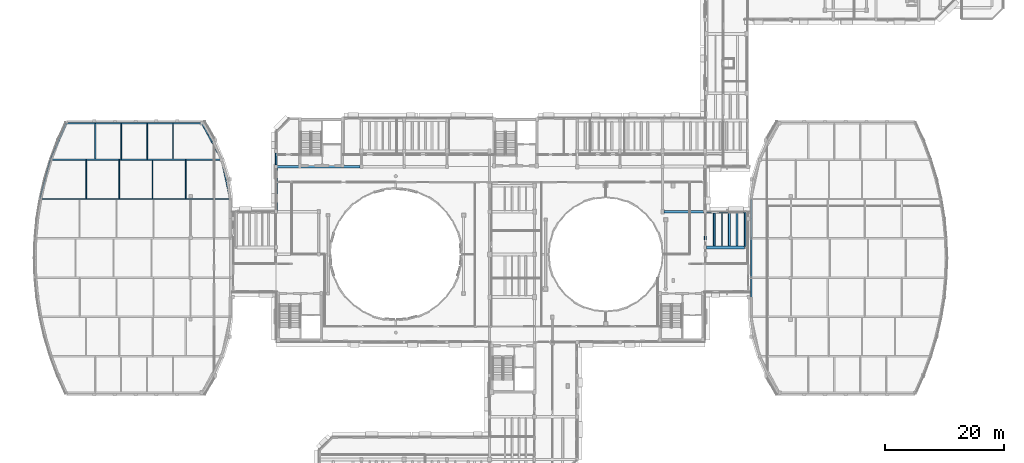
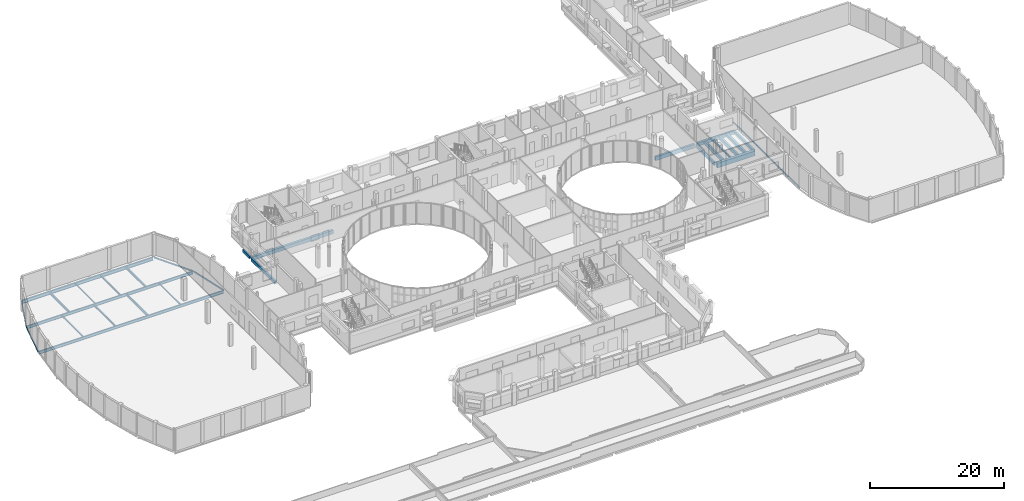
# One storey, part 41 of 105: 30 beams.
"""IFC4 building model written with IfcOpenShell, lengths in metres."""

from ifc_helpers import new_model, si_unit, direction, frame, origin, origin_2d, place, context, subcontext, project, spatial, rectangle, hollow_rectangle, i_section, extrude, material, material_profile, profile_set, type_object, element, save


model = new_model("IFC4")

# Units and contexts
model_context = context("Model", 3, precision=1e-05, world=origin(), true_north=direction((0.0, 1.0)))
body_context = subcontext(model_context, "Body", "Model", "MODEL_VIEW")
ifc_project = project(units=[si_unit("LENGTHUNIT", "METRE"), si_unit("AREAUNIT", "SQUARE_METRE"), si_unit("VOLUMEUNIT", "CUBIC_METRE"), si_unit("PLANEANGLEUNIT", "RADIAN"), si_unit("MASSUNIT", "GRAM", prefix="KILO")], contexts=[model_context])

# Site, building, storey
site_placement = place(None, origin())
site = spatial("IfcSite", under=ifc_project, at=site_placement, CompositionType="ELEMENT")
building_placement = place(site_placement, origin())
building = spatial("IfcBuilding", under=site, at=building_placement, Name="Kelanivale Promenade Academy", CompositionType="ELEMENT")
storey_placement = place(building_placement, frame((0.0, 0.0, 4.199951171875)))
storey = spatial("IfcBuildingStorey", under=building, at=storey_placement, Name="L01", CompositionType="ELEMENT", Elevation=4.199951171875)

# Beams
ifc_material_1 = material(Name="Concrete C35/45", Category="concrete")
ifc_material_profile_1 = material_profile(ifc_material_1, rectangle(XDim=0.39990234375, YDim=0.64990234375, at=origin_2d()), Name="RC-BM 400x650")
ifc_profile_set_1 = profile_set([ifc_material_profile_1], Name="Concrete C35/45")
beam_type_1 = type_object("IfcBeamType", Name="BM-01 RC-BM 400x650", PredefinedType="BEAM", material=ifc_profile_set_1)
beam_1_placement = place(storey_placement, frame((43.39501953125, 71.60009765625, -0.544921875), z_axis=(1.0, 0.0, 0.0), x_axis=(0.0, 1.0, 0.0)))
element("IfcBeam", 1, at=beam_1_placement, inside=storey, type_object=beam_type_1, Name="L01 girder BM-01", PredefinedType="BEAM", context=body_context, shape_type="SweptSolid", body=[
    extrude(rectangle(XDim=0.39990234375, YDim=0.64990234375, at=origin_2d()), origin(), (0.0, 0.0, 1.0), 13.9599609375),
])
ifc_material_profile_2 = material_profile(ifc_material_1, rectangle(XDim=0.5, YDim=0.85009765625, at=origin_2d()), Name="RC-BM 500x850")
ifc_profile_set_2 = profile_set([ifc_material_profile_2], Name="Concrete C35/45")
beam_type_2 = type_object("IfcBeamType", Name="BM-07 RC-BM 500x850", PredefinedType="BEAM", material=ifc_profile_set_2)
beam_2_placement = place(storey_placement, frame((115.794921875, 58.0, -0.64501953125), z_axis=(1.0, 0.0, 0.0), x_axis=(0.0, 1.0, 0.0)))
element("IfcBeam", 2, at=beam_2_placement, inside=storey, type_object=beam_type_2, Name="L01 girder BM-07", PredefinedType="BEAM", context=body_context, shape_type="SweptSolid", body=[
    extrude(rectangle(XDim=0.5, YDim=0.85009765625, at=origin_2d()), origin(), (0.0, 0.0, 1.0), 6.43310546875),
])
ifc_material_profile_3 = material_profile(ifc_material_1, rectangle(XDim=0.35009765625, YDim=0.699951171875, at=origin_2d()), Name="RC-BM 350x700")
ifc_profile_set_3 = profile_set([ifc_material_profile_3], Name="Concrete C35/45")
beam_type_3 = type_object("IfcBeamType", Name="BM-11 RC-BM 350x700", PredefinedType="BEAM", material=ifc_profile_set_3)
beam_3_placement = place(storey_placement, frame((108.6201171875, 64.0, -0.570068359375), z_axis=(1.0, 0.0, 0.0), x_axis=(0.0, 1.0, 0.0)))
element("IfcBeam", 3, at=beam_3_placement, inside=storey, type_object=beam_type_3, Name="L01 girder BM-11", PredefinedType="BEAM", context=body_context, shape_type="SweptSolid", body=[
    extrude(rectangle(XDim=0.35009765625, YDim=0.699951171875, at=origin_2d()), origin(), (0.0, 0.0, 1.0), 6.73486328125),
])
ifc_material_profile_4 = material_profile(ifc_material_1, rectangle(XDim=0.39990234375, YDim=0.60009765625, at=origin_2d()), Name="RC-BM 400x600")
ifc_profile_set_4 = profile_set([ifc_material_profile_4], Name="Concrete C35/45")
beam_type_4 = type_object("IfcBeamType", Name="BM-12 RC-BM 400x600", PredefinedType="BEAM", material=ifc_profile_set_4)
beam_4_placement = place(storey_placement, frame((115.844970703125, 64.0, -0.52001953125), z_axis=(1.0, 0.0, 0.0), x_axis=(0.0, 1.0, 0.0)))
element("IfcBeam", 4, at=beam_4_placement, inside=storey, type_object=beam_type_4, Name="L01 girder BM-12", PredefinedType="BEAM", context=body_context, shape_type="SweptSolid", body=[
    extrude(rectangle(XDim=0.39990234375, YDim=0.60009765625, at=origin_2d()), origin(), (0.0, 0.0, 1.0), 6.383056640625),
])
ifc_material_profile_5 = material_profile(ifc_material_1, rectangle(XDim=0.300048828125, YDim=0.60009765625, at=origin_2d()), Name="RC-BM 300x600")
ifc_profile_set_5 = profile_set([ifc_material_profile_5], Name="Concrete C35/45")
beam_type_5 = type_object("IfcBeamType", Name="JS-03 RC-BM 300x600", PredefinedType="JOIST", material=ifc_profile_set_5)
beam_5_placement = place(storey_placement, frame((117.1220703125, 58.25, -0.52001953125), z_axis=(0.0, 1.0, 0.0), x_axis=(-1.0, 0.0, 0.0)))
element("IfcBeam", 5, at=beam_5_placement, inside=storey, type_object=beam_type_5, Name="L01 secondary sub-beam JS-03", PredefinedType="JOIST", context=body_context, shape_type="SweptSolid", body=[
    extrude(rectangle(XDim=0.300048828125, YDim=0.60009765625, at=origin_2d()), origin(), (0.0, 0.0, 1.0), 5.550048828125),
])
ifc_material_profile_6 = material_profile(ifc_material_1, rectangle(XDim=0.320068359375, YDim=0.550048828125, at=origin_2d()), Name="RC-BM 320x550")
ifc_profile_set_6 = profile_set([ifc_material_profile_6], Name="Concrete C35/45")
beam_type_6 = type_object("IfcBeamType", Name="JS-04 RC-BM 320x550", PredefinedType="JOIST", material=ifc_profile_set_6)
beam_6_placement = place(storey_placement, frame((43.199951171875, 64.2451171875, -0.494873046875), z_axis=(0.0, 1.0, 0.0), x_axis=(-1.0, 0.0, 0.0)))
element("IfcBeam", 6, at=beam_6_placement, inside=storey, type_object=beam_type_6, Name="L01 beam JS-04", PredefinedType="JOIST", context=body_context, shape_type="SweptSolid", body=[
    extrude(rectangle(XDim=0.320068359375, YDim=0.550048828125, at=origin_2d()), origin(), (0.0, 0.0, 1.0), 7.10986328125),
])
ifc_material_profile_7 = material_profile(ifc_material_1, rectangle(XDim=0.320068359375, YDim=0.60009765625, at=origin_2d()), Name="RC-BM 320x600")
ifc_profile_set_7 = profile_set([ifc_material_profile_7], Name="Concrete C35/45")
beam_type_7 = type_object("IfcBeamType", Name="JS-05 RC-BM 320x600", PredefinedType="JOIST", material=ifc_profile_set_7)
beam_7_placement = place(storey_placement, frame((115.60009765625, 58.27001953125, -0.52001953125), z_axis=(0.0, 1.0, 0.0), x_axis=(-1.0, 0.0, 0.0)))
element("IfcBeam", 7, at=beam_7_placement, inside=storey, type_object=beam_type_7, Name="L01 beam JS-05", PredefinedType="JOIST", context=body_context, shape_type="SweptSolid", body=[
    extrude(rectangle(XDim=0.320068359375, YDim=0.60009765625, at=origin_2d()), origin(), (0.0, 0.0, 1.0), 5.43505859375),
])
beam_8_placement = place(storey_placement, frame((122.35009765625, 58.1220703125, -0.52001953125), z_axis=(0.0, 1.0, 0.0), x_axis=(-1.0, 0.0, 0.0)))
element("IfcBeam", 8, at=beam_8_placement, inside=storey, type_object=beam_type_7, Name="L01 beam JS-05", PredefinedType="JOIST", context=body_context, shape_type="SweptSolid", body=[
    extrude(rectangle(XDim=0.320068359375, YDim=0.60009765625, at=origin_2d()), origin(), (0.0, 0.0, 1.0), 5.755859375),
])
beam_9_placement = place(storey_placement, frame((119.675048828125, 58.25, -0.52001953125), z_axis=(0.0, 1.0, 0.0), x_axis=(-1.0, 0.0, 0.0)))
element("IfcBeam", 9, at=beam_9_placement, inside=storey, type_object=beam_type_7, Name="L01 secondary sub-beam JS-05", PredefinedType="JOIST", context=body_context, shape_type="SweptSolid", body=[
    extrude(rectangle(XDim=0.320068359375, YDim=0.60009765625, at=origin_2d()), origin(), (0.0, 0.0, 1.0), 5.550048828125),
])
ifc_material_profile_8 = material_profile(ifc_material_1, rectangle(XDim=0.35009765625, YDim=0.550048828125, at=origin_2d()), Name="RC-BM 350x550")
ifc_profile_set_8 = profile_set([ifc_material_profile_8], Name="Concrete C35/45")
beam_type_8 = type_object("IfcBeamType", Name="JS-06 RC-BM 350x550", PredefinedType="JOIST", material=ifc_profile_set_8)
beam_10_placement = place(storey_placement, frame((120.950927734375, 58.25, -0.494873046875), z_axis=(0.0, 1.0, 0.0), x_axis=(-1.0, 0.0, 0.0)))
element("IfcBeam", 10, at=beam_10_placement, inside=storey, type_object=beam_type_8, Name="L01 secondary sub-beam JS-06", PredefinedType="JOIST", context=body_context, shape_type="SweptSolid", body=[
    extrude(rectangle(XDim=0.35009765625, YDim=0.550048828125, at=origin_2d()), origin(), (0.0, 0.0, 1.0), 5.550048828125),
])
ifc_material_profile_9 = material_profile(ifc_material_1, rectangle(XDim=0.25, YDim=0.5, at=origin_2d()), Name="RC-BM 250x500")
ifc_profile_set_9 = profile_set([ifc_material_profile_9], Name="Concrete C35/45")
beam_type_9 = type_object("IfcBeamType", Name="LN-02 RC-BM 250x500", PredefinedType="LINTEL", material=ifc_profile_set_9)
beam_11_placement = place(storey_placement, frame((43.199951171875, 71.844970703125, -0.469970703125), z_axis=(0.0, 1.0, 0.0), x_axis=(-1.0, 0.0, 0.0)))
element("IfcBeam", 11, at=beam_11_placement, inside=storey, type_object=beam_type_9, Name="L01 beam LN-02", PredefinedType="LINTEL", context=body_context, shape_type="SweptSolid", body=[
    extrude(rectangle(XDim=0.25, YDim=0.5, at=origin_2d()), origin(), (0.0, 0.0, 1.0), 2.0849609375),
])
ifc_material_2 = material(Name="Steel S355", Category="steel")
ifc_material_profile_10 = material_profile(ifc_material_2, i_section(OverallWidth=0.13330078125, OverallDepth=0.203125, WebThickness=0.005615234375, FlangeThickness=0.0078125, FilletRadius=0.007568359375, at=origin_2d()), Name="UB 203x133x25")
ifc_profile_set_10 = profile_set([ifc_material_profile_10], Name="Steel S355")
beam_type_10 = type_object("IfcBeamType", Name="SB-01 UB 203x133x25", PredefinedType="JOIST", material=ifc_profile_set_10)
beam_12_placement = place(storey_placement, frame((27.951904296875, 66.242919921875, -0.366943359375), z_axis=(0.0, 1.0, 0.0), x_axis=(-1.0, 0.0, 0.0)))
element("IfcBeam", 12, at=beam_12_placement, inside=storey, type_object=beam_type_10, Name="L01 hall floor secondary joist SB-01", PredefinedType="JOIST", context=body_context, shape_type="SweptSolid", body=[
    extrude(i_section(OverallWidth=0.13330078125, OverallDepth=0.203125, WebThickness=0.005615234375, FlangeThickness=0.0078125, FilletRadius=0.007568359375, at=origin_2d()), origin(), (0.0, 0.0, 1.0), 6.427978515625),
])
beam_13_placement = place(storey_placement, frame((17.06689453125, 72.87109375, -0.366943359375), z_axis=(0.0, 1.0, 0.0), x_axis=(-1.0, 0.0, 0.0)))
element("IfcBeam", 13, at=beam_13_placement, inside=storey, type_object=beam_type_10, Name="L01 hall floor secondary joist SB-01", PredefinedType="JOIST", context=body_context, shape_type="SweptSolid", body=[
    extrude(i_section(OverallWidth=0.13330078125, OverallDepth=0.203125, WebThickness=0.005615234375, FlangeThickness=0.0078125, FilletRadius=0.007568359375, at=origin_2d()), origin(), (0.0, 0.0, 1.0), 5.968994140625),
])
ifc_material_profile_11 = material_profile(ifc_material_2, i_section(OverallWidth=0.14599609375, OverallDepth=0.25146484375, WebThickness=0.006103515625, FlangeThickness=0.008544921875, FilletRadius=0.007568359375, at=origin_2d()), Name="UB 254x146x31")
ifc_profile_set_11 = profile_set([ifc_material_profile_11], Name="Steel S355")
beam_type_11 = type_object("IfcBeamType", Name="SB-02 UB 254x146x31", PredefinedType="JOIST", material=ifc_profile_set_11)
beam_14_placement = place(storey_placement, frame((11.158935546875, 66.242919921875, -0.390869140625), z_axis=(0.0, 1.0, 0.0), x_axis=(-1.0, 0.0, 0.0)))
element("IfcBeam", 14, at=beam_14_placement, inside=storey, type_object=beam_type_11, Name="L01 hall floor secondary joist SB-02", PredefinedType="JOIST", context=body_context, shape_type="SweptSolid", body=[
    extrude(i_section(OverallWidth=0.14599609375, OverallDepth=0.25146484375, WebThickness=0.006103515625, FlangeThickness=0.008544921875, FilletRadius=0.007568359375, at=origin_2d()), origin(), (0.0, 0.0, 1.0), 6.427978515625),
])
ifc_material_profile_12 = material_profile(ifc_material_2, i_section(OverallWidth=0.1650390625, OverallDepth=0.303466796875, WebThickness=0.006103515625, FlangeThickness=0.01025390625, FilletRadius=0.0087890625, at=origin_2d()), Name="UB 305x165x40")
ifc_profile_set_12 = profile_set([ifc_material_profile_12], Name="Steel S355")
beam_type_12 = type_object("IfcBeamType", Name="SB-03 UB 305x165x40", PredefinedType="BEAM", material=ifc_profile_set_12)
beam_15_placement = place(storey_placement, frame((21.445068359375, 72.87109375, -0.4169921875), z_axis=(0.0, 1.0, 0.0), x_axis=(-1.0, 0.0, 0.0)))
element("IfcBeam", 15, at=beam_15_placement, inside=storey, type_object=beam_type_12, Name="L01 hall floor secondary joist SB-03", PredefinedType="BEAM", context=body_context, shape_type="SweptSolid", body=[
    extrude(i_section(OverallWidth=0.1650390625, OverallDepth=0.303466796875, WebThickness=0.006103515625, FlangeThickness=0.01025390625, FilletRadius=0.0087890625, at=origin_2d()), origin(), (0.0, 0.0, 1.0), 5.968994140625),
])
ifc_material_profile_13 = material_profile(ifc_material_2, i_section(OverallWidth=0.17138671875, OverallDepth=0.35498046875, WebThickness=0.00732421875, FlangeThickness=0.011474609375, FilletRadius=0.01025390625, at=origin_2d()), Name="UB 356x171x51")
ifc_profile_set_13 = profile_set([ifc_material_profile_13], Name="Steel S355")
beam_type_13 = type_object("IfcBeamType", Name="SB-04 UB 356x171x51", PredefinedType="BEAM", material=ifc_profile_set_13)
beam_16_placement = place(storey_placement, frame((16.757080078125, 66.242919921875, -0.44189453125), z_axis=(0.0, 1.0, 0.0), x_axis=(-1.0, 0.0, 0.0)))
element("IfcBeam", 16, at=beam_16_placement, inside=storey, type_object=beam_type_13, Name="L01 hall floor secondary joist SB-04", PredefinedType="BEAM", context=body_context, shape_type="SweptSolid", body=[
    extrude(i_section(OverallWidth=0.17138671875, OverallDepth=0.35498046875, WebThickness=0.00732421875, FlangeThickness=0.011474609375, FilletRadius=0.01025390625, at=origin_2d()), origin(), (0.0, 0.0, 1.0), 6.427978515625),
])
ifc_material_profile_14 = material_profile(ifc_material_2, i_section(OverallWidth=0.177978515625, OverallDepth=0.406494140625, WebThickness=0.0078125, FlangeThickness=0.0126953125, FilletRadius=0.01025390625, at=origin_2d()), Name="UB 406x178x60")
ifc_profile_set_14 = profile_set([ifc_material_profile_14], Name="Steel S355")
beam_type_14 = type_object("IfcBeamType", Name="SB-05 UB 406x178x60", PredefinedType="BEAM", material=ifc_profile_set_14)
beam_17_placement = place(storey_placement, frame((118.39794921875, 58.25, -0.4228515625), z_axis=(0.0, 1.0, 0.0), x_axis=(-1.0, 0.0, 0.0)))
element("IfcBeam", 17, at=beam_17_placement, inside=storey, type_object=beam_type_14, Name="L01 secondary sub-beam SB-05", PredefinedType="BEAM", context=body_context, shape_type="SweptSolid", body=[
    extrude(i_section(OverallWidth=0.177978515625, OverallDepth=0.406494140625, WebThickness=0.0078125, FlangeThickness=0.0126953125, FilletRadius=0.01025390625, at=origin_2d()), origin(), (0.0, 0.0, 1.0), 5.550048828125),
])
beam_18_placement = place(storey_placement, frame((25.822021484375, 72.87109375, -0.468017578125), z_axis=(0.0, 1.0, 0.0), x_axis=(-1.0, 0.0, 0.0)))
element("IfcBeam", 18, at=beam_18_placement, inside=storey, type_object=beam_type_14, Name="L01 hall floor secondary joist SB-05", PredefinedType="BEAM", context=body_context, shape_type="SweptSolid", body=[
    extrude(i_section(OverallWidth=0.177978515625, OverallDepth=0.406494140625, WebThickness=0.0078125, FlangeThickness=0.0126953125, FilletRadius=0.01025390625, at=origin_2d()), origin(), (0.0, 0.0, 1.0), 5.968994140625),
])
ifc_material_profile_15 = material_profile(ifc_material_2, i_section(OverallWidth=0.18994140625, OverallDepth=0.453369140625, WebThickness=0.008544921875, FlangeThickness=0.0126953125, FilletRadius=0.01025390625, at=origin_2d()), Name="UB 457x191x67")
ifc_profile_set_15 = profile_set([ifc_material_profile_15], Name="Steel S355")
beam_type_15 = type_object("IfcBeamType", Name="SB-06 UB 457x191x67", PredefinedType="BEAM", material=ifc_profile_set_15)
beam_19_placement = place(storey_placement, frame((22.35400390625, 66.242919921875, -0.491943359375), z_axis=(0.0, 1.0, 0.0), x_axis=(-1.0, 0.0, 0.0)))
element("IfcBeam", 19, at=beam_19_placement, inside=storey, type_object=beam_type_15, Name="L01 hall floor secondary joist SB-06", PredefinedType="BEAM", context=body_context, shape_type="SweptSolid", body=[
    extrude(i_section(OverallWidth=0.18994140625, OverallDepth=0.453369140625, WebThickness=0.008544921875, FlangeThickness=0.0126953125, FilletRadius=0.01025390625, at=origin_2d()), origin(), (0.0, 0.0, 1.0), 6.427978515625),
])
beam_20_placement = place(storey_placement, frame((12.68994140625, 72.87109375, -0.491943359375), z_axis=(0.0, 1.0, 0.0), x_axis=(-1.0, 0.0, 0.0)))
element("IfcBeam", 20, at=beam_20_placement, inside=storey, type_object=beam_type_15, Name="L01 hall floor secondary joist SB-06", PredefinedType="BEAM", context=body_context, shape_type="SweptSolid", body=[
    extrude(i_section(OverallWidth=0.18994140625, OverallDepth=0.453369140625, WebThickness=0.008544921875, FlangeThickness=0.0126953125, FilletRadius=0.01025390625, at=origin_2d()), origin(), (0.0, 0.0, 1.0), 5.968994140625),
])
ifc_material_profile_16 = material_profile(ifc_material_2, i_section(OverallWidth=0.209228515625, OverallDepth=0.533203125, WebThickness=0.010009765625, FlangeThickness=0.015625, FilletRadius=0.0126953125, at=origin_2d()), Name="UB 533x210x92")
ifc_profile_set_16 = profile_set([ifc_material_profile_16], Name="Steel S355")
beam_type_16 = type_object("IfcBeamType", Name="SB-08 UB 533x210x92", PredefinedType="BEAM", material=ifc_profile_set_16)
beam_21_placement = place(storey_placement, frame((3.458984375, 66.14306640625, -0.531982421875), z_axis=(1.0, 0.0, 0.0), x_axis=(0.0, 1.0, 0.0)))
element("IfcBeam", 21, at=beam_21_placement, inside=storey, type_object=beam_type_16, Name="L01 hall floor steel girder SB-08", PredefinedType="BEAM", context=body_context, shape_type="SweptSolid", body=[
    extrude(i_section(OverallWidth=0.209228515625, OverallDepth=0.533203125, WebThickness=0.010009765625, FlangeThickness=0.015625, FilletRadius=0.0126953125, at=origin_2d()), origin(), (0.0, 0.0, 1.0), 31.89111328125),
])
ifc_material_profile_17 = material_profile(ifc_material_2, i_section(OverallWidth=0.210693359375, OverallDepth=0.53955078125, WebThickness=0.01171875, FlangeThickness=0.018798828125, FilletRadius=0.0126953125, at=origin_2d()), Name="UB 533x210x109")
ifc_profile_set_17 = profile_set([ifc_material_profile_17], Name="Steel S355")
beam_type_17 = type_object("IfcBeamType", Name="SB-09 UB 533x210x109", PredefinedType="BEAM", material=ifc_profile_set_17)
beam_22_placement = place(storey_placement, frame((5.2109375, 72.77099609375, -0.534912109375), z_axis=(1.0, 0.0, 0.0), x_axis=(0.0, 1.0, 0.0)))
element("IfcBeam", 22, at=beam_22_placement, inside=storey, type_object=beam_type_17, Name="L01 hall floor steel girder SB-09", PredefinedType="BEAM", context=body_context, shape_type="SweptSolid", body=[
    extrude(i_section(OverallWidth=0.210693359375, OverallDepth=0.53955078125, WebThickness=0.01171875, FlangeThickness=0.018798828125, FilletRadius=0.0126953125, at=origin_2d()), origin(), (0.0, 0.0, 1.0), 28.68896484375),
])
ifc_material_profile_18 = material_profile(ifc_material_2, i_section(OverallWidth=0.22900390625, OverallDepth=0.6123046875, WebThickness=0.011962890625, FlangeThickness=0.01953125, FilletRadius=0.0126953125, at=origin_2d()), Name="UB 610x229x125")
ifc_profile_set_18 = profile_set([ifc_material_profile_18], Name="Steel S355")
beam_type_18 = type_object("IfcBeamType", Name="SB-10 UB 610x229x125", PredefinedType="BEAM", material=ifc_profile_set_18)
beam_23_placement = place(storey_placement, frame((7.9619140625, 78.949951171875, -0.571044921875), z_axis=(1.0, 0.0, 0.0), x_axis=(0.0, 1.0, 0.0)))
element("IfcBeam", 23, at=beam_23_placement, inside=storey, type_object=beam_type_18, Name="L01 hall floor steel girder SB-10", PredefinedType="BEAM", context=body_context, shape_type="SweptSolid", body=[
    extrude(i_section(OverallWidth=0.22900390625, OverallDepth=0.6123046875, WebThickness=0.011962890625, FlangeThickness=0.01953125, FilletRadius=0.0126953125, at=origin_2d()), origin(), (0.0, 0.0, 1.0), 22.588134765625),
])
ifc_material_profile_19 = material_profile(ifc_material_2, hollow_rectangle(XDim=0.14990234375, YDim=0.25, WallThickness=0.010009765625, InnerFilletRadius=0.010009765625, OuterFilletRadius=0.02001953125, at=origin_2d()), Name="RHS 250x150x10.0")
ifc_profile_set_19 = profile_set([ifc_material_profile_19], Name="Steel S355")
beam_type_19 = type_object("IfcBeamType", Name="SB-13 RHS 250x150x10.0", PredefinedType="SPANDREL", material=ifc_profile_set_19)
beam_24_placement = place(storey_placement, frame((3.385009765625, 66.239990234375, -0.389892578125), z_axis=(0.255444826884, 0.966823634598, 0.0), x_axis=(-0.966823634598, 0.255444826884, 0.0)))
element("IfcBeam", 24, at=beam_24_placement, inside=storey, type_object=beam_type_19, Name="Sports Hall Crescent Pavilion curved ring beam SB-13", PredefinedType="SPANDREL", context=body_context, shape_type="SweptSolid", body=[
    extrude(hollow_rectangle(XDim=0.14990234375, YDim=0.25, WallThickness=0.010009765625, InnerFilletRadius=0.010009765625, OuterFilletRadius=0.02001953125, at=origin_2d()), origin(), (0.0, 0.0, 1.0), 6.65478515625),
])
beam_25_placement = place(storey_placement, frame((35.428955078125, 66.240966796875, -0.389892578125), z_axis=(-0.213831783118, 0.976870497317, 0.0), x_axis=(-0.976870497317, -0.213831783118, 0.0)))
element("IfcBeam", 25, at=beam_25_placement, inside=storey, type_object=beam_type_19, Name="Sports Hall Crescent Pavilion inner kidney ring beam SB-13", PredefinedType="SPANDREL", context=body_context, shape_type="SweptSolid", body=[
    extrude(hollow_rectangle(XDim=0.14990234375, YDim=0.25, WallThickness=0.010009765625, InnerFilletRadius=0.010009765625, OuterFilletRadius=0.02001953125, at=origin_2d()), origin(), (0.0, 0.0, 1.0), 6.58447265625),
])
beam_26_placement = place(storey_placement, frame((5.152099609375, 72.862060546875, -0.389892578125), z_axis=(0.40660775048, 0.913602833429, 0.0), x_axis=(-0.913602833429, 0.40660775048, 0.0)))
element("IfcBeam", 26, at=beam_26_placement, inside=storey, type_object=beam_type_19, Name="Sports Hall Crescent Pavilion curved ring beam SB-13", PredefinedType="SPANDREL", context=body_context, shape_type="SweptSolid", body=[
    extrude(hollow_rectangle(XDim=0.14990234375, YDim=0.25, WallThickness=0.010009765625, InnerFilletRadius=0.010009765625, OuterFilletRadius=0.02001953125, at=origin_2d()), origin(), (0.0, 0.0, 1.0), 6.56396484375),
])
beam_27_placement = place(storey_placement, frame((33.951904296875, 72.85888671875, -0.389892578125), z_axis=(-0.476530768852, 0.879157793765, 0.0), x_axis=(-0.879157793765, -0.476530768852, 0.0)))
element("IfcBeam", 27, at=beam_27_placement, inside=storey, type_object=beam_type_19, Name="Sports Hall Crescent Pavilion inner kidney ring beam SB-13", PredefinedType="SPANDREL", context=body_context, shape_type="SweptSolid", body=[
    extrude(hollow_rectangle(XDim=0.14990234375, YDim=0.25, WallThickness=0.010009765625, InnerFilletRadius=0.010009765625, OuterFilletRadius=0.02001953125, at=origin_2d()), origin(), (0.0, 0.0, 1.0), 6.828369140625),
])
beam_28_placement = place(storey_placement, frame((123.35009765625, 46.35693359375, -0.389892578125), z_axis=(0.0, 1.0, 0.0), x_axis=(-1.0, 0.0, 0.0)))
element("IfcBeam", 28, at=beam_28_placement, inside=storey, type_object=beam_type_19, Name="Assembly Hall Arc Pavilion inner kidney ring beam SB-13", PredefinedType="SPANDREL", context=body_context, shape_type="SweptSolid", body=[
    extrude(hollow_rectangle(XDim=0.14990234375, YDim=0.25, WallThickness=0.010009765625, InnerFilletRadius=0.010009765625, OuterFilletRadius=0.02001953125, at=origin_2d()), origin(), (0.0, 0.0, 1.0), 6.428955078125),
])
beam_29_placement = place(storey_placement, frame((123.35009765625, 52.986083984375, -0.389892578125), z_axis=(0.0, 1.0, 0.0), x_axis=(-1.0, 0.0, 0.0)))
element("IfcBeam", 29, at=beam_29_placement, inside=storey, type_object=beam_type_19, Name="Assembly Hall Arc Pavilion inner kidney ring beam SB-13", PredefinedType="SPANDREL", context=body_context, shape_type="SweptSolid", body=[
    extrude(hollow_rectangle(XDim=0.14990234375, YDim=0.25, WallThickness=0.010009765625, InnerFilletRadius=0.010009765625, OuterFilletRadius=0.02001953125, at=origin_2d()), origin(), (0.0, 0.0, 1.0), 6.427978515625),
])
beam_30_placement = place(storey_placement, frame((123.35009765625, 59.614013671875, -0.389892578125), z_axis=(0.0, 1.0, 0.0), x_axis=(-1.0, 0.0, 0.0)))
element("IfcBeam", 30, at=beam_30_placement, inside=storey, type_object=beam_type_19, Name="Assembly Hall Arc Pavilion inner kidney ring beam SB-13", PredefinedType="SPANDREL", context=body_context, shape_type="SweptSolid", body=[
    extrude(hollow_rectangle(XDim=0.14990234375, YDim=0.25, WallThickness=0.010009765625, InnerFilletRadius=0.010009765625, OuterFilletRadius=0.02001953125, at=origin_2d()), origin(), (0.0, 0.0, 1.0), 6.428955078125),
])

save(model, "model.ifc")
